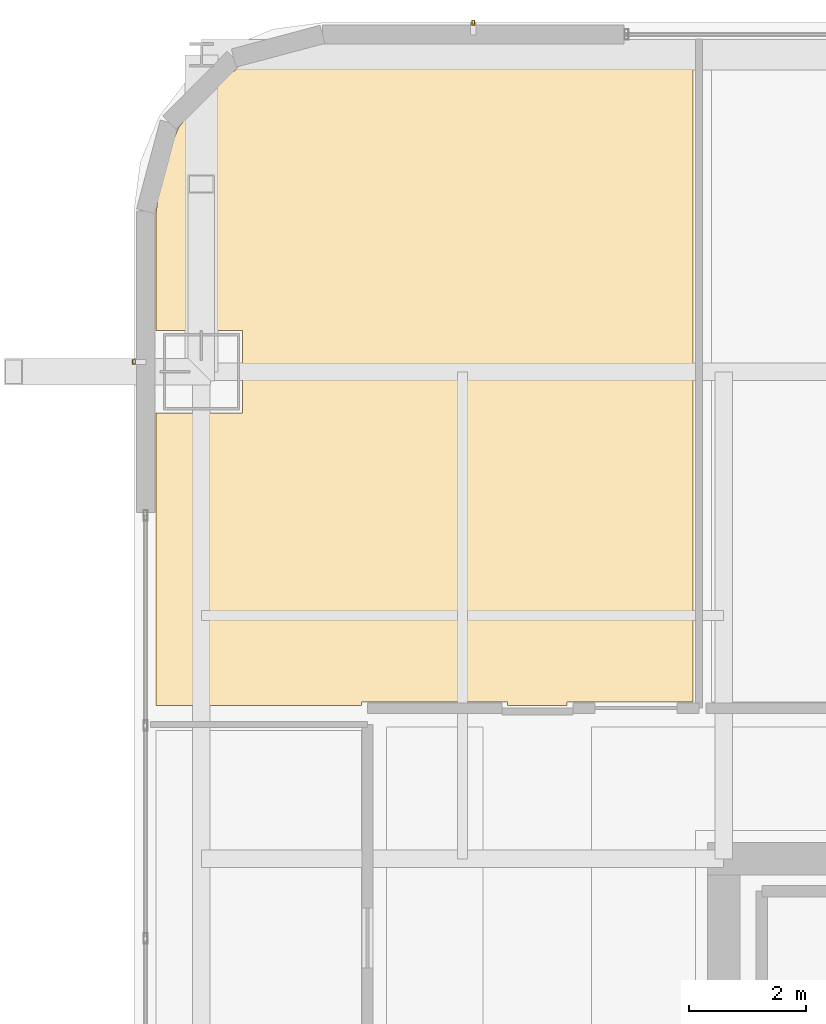
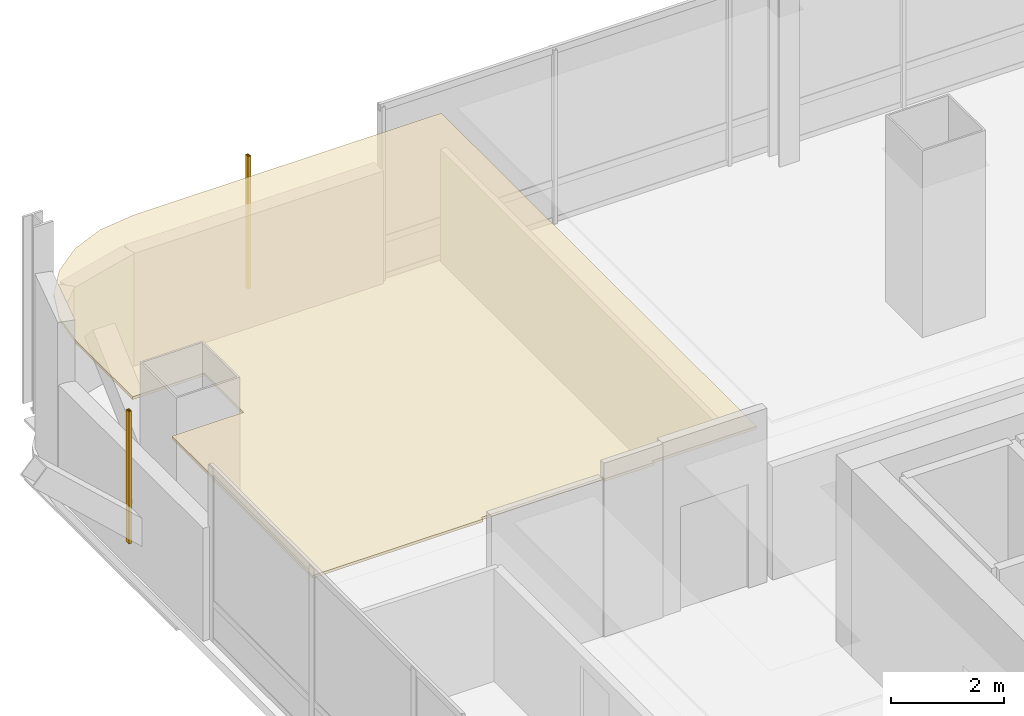
# One storey, part 49 of 51: 2 shading devices, 1 covering.
"""IFC4 building model written with IfcOpenShell, lengths in metres."""

from ifc_helpers import new_model, si_unit, direction, frame, origin, origin_2d, place, context, subcontext, project, spatial, polyline, hollow_rectangle, outline, extrude, material, layer, layer_set, material_profile, profile_set, type_object, element, save


model = new_model("IFC4")

# Units and contexts
model_context = context("Model", 3, precision=1e-05, world=origin(), true_north=direction((0.0, 1.0)))
body_context = subcontext(model_context, "Body", "Model", "MODEL_VIEW")
ifc_project = project(units=[si_unit("LENGTHUNIT", "METRE"), si_unit("AREAUNIT", "SQUARE_METRE"), si_unit("VOLUMEUNIT", "CUBIC_METRE"), si_unit("PLANEANGLEUNIT", "RADIAN"), si_unit("MASSUNIT", "GRAM", prefix="KILO")], contexts=[model_context])

# Site, building, storey
site_placement = place(None, origin())
site = spatial("IfcSite", under=ifc_project, at=site_placement, CompositionType="ELEMENT")
building_placement = place(site_placement, origin())
building = spatial("IfcBuilding", under=site, at=building_placement, Name="Punatoya Terracotta Tower", CompositionType="ELEMENT")
storey_placement = place(building_placement, frame((0.0, 0.0, 279.75)))
storey = spatial("IfcBuildingStorey", under=building, at=storey_placement, Name="L66", CompositionType="ELEMENT", Elevation=279.75)

# Covering
ifc_material_1 = material(Name="Acoustic Mineral Fibre Ceiling")
ifc_layer = layer(ifc_material_1, 0.06005859375)
ifc_layer_set = layer_set([ifc_layer], Name="Acoustic Mineral Fibre Ceiling")
covering_type = type_object("IfcCoveringType", Name="COV-CEIL-60", PredefinedType="CEILING", material=ifc_layer_set)
covering_placement = place(storey_placement, frame((0.0, 0.0, 3.239990234375)))
element("IfcCovering", 1, at=covering_placement, inside=storey, type_object=covering_type, Name="L66 Open-Plan Symposium Colloquium Room Acoustic Ceiling", PredefinedType="CEILING", context=body_context, shape_type="SweptSolid", body=[
    extrude(outline(polyline([(-19.8701171875, 16.800048828125), (-19.8701171875, 11.81005859375), (-16.3701171875, 11.81005859375), (-16.3701171875, 11.8701171875), (-13.8798828125, 11.8701171875), (-13.8798828125, 11.81005859375), (-12.8701171875, 11.81005859375), (-12.8701171875, 11.8701171875), (-10.72412109375, 11.8701171875), (-10.72412109375, 23.070068359375), (-17.025146484375, 23.070068359375), (-17.779052734375, 22.970703125), (-18.458251953125, 22.689453125), (-19.041748046875, 22.24169921875), (-19.489501953125, 21.658203125), (-19.770751953125, 20.97900390625), (-19.8701171875, 20.22509765625), (-19.8701171875, 18.199951171875), (-18.39990234375, 18.199951171875), (-18.39990234375, 16.800048828125), (-19.8701171875, 16.800048828125)])), origin(), (0.0, 0.0, 1.0), 0.06005859375),
])

# Shading devices
ifc_material_2 = material(Name="Architectural Fired Terracotta", Category="masonry")
ifc_material_profile = material_profile(ifc_material_2, hollow_rectangle(XDim=0.06005859375, YDim=0.090087890625, WallThickness=0.013916015625, at=origin_2d()))
ifc_profile_set = profile_set([ifc_material_profile], Name="Architectural Fired Terracotta")
shading_device_type = type_object("IfcShadingDeviceType", Name="SHD-JALI-90", PredefinedType="JALOUSIE", material=ifc_profile_set)
for number, where, z_axis, x_axis, name in (
    (2, (-14.468505859375, 23.449951171875, 0.60009765625), (0.0, 0.0, 1.0), (1.0, 0.0, 0.0), "L66 Braced Bay Terracotta Jali Fin N2"),
    (3, (-20.25, 17.66845703125, 0.60009765625), (0.0, 0.0, 1.0), (1.0, 0.0, 0.0), "L66 Braced Bay Terracotta Jali Fin W1"),
):
    element("IfcShadingDevice", number, at=place(storey_placement, frame(where, z_axis=z_axis, x_axis=x_axis)), inside=storey, type_object=shading_device_type, Name=name, PredefinedType="JALOUSIE", context=body_context, shape_type="SweptSolid", body=[
        extrude(hollow_rectangle(XDim=0.06005859375, YDim=0.090087890625, WallThickness=0.013916015625, at=origin_2d()), origin(), (0.0, 0.0, 1.0), 2.869873046875),
    ])

save(model, "model.ifc")
